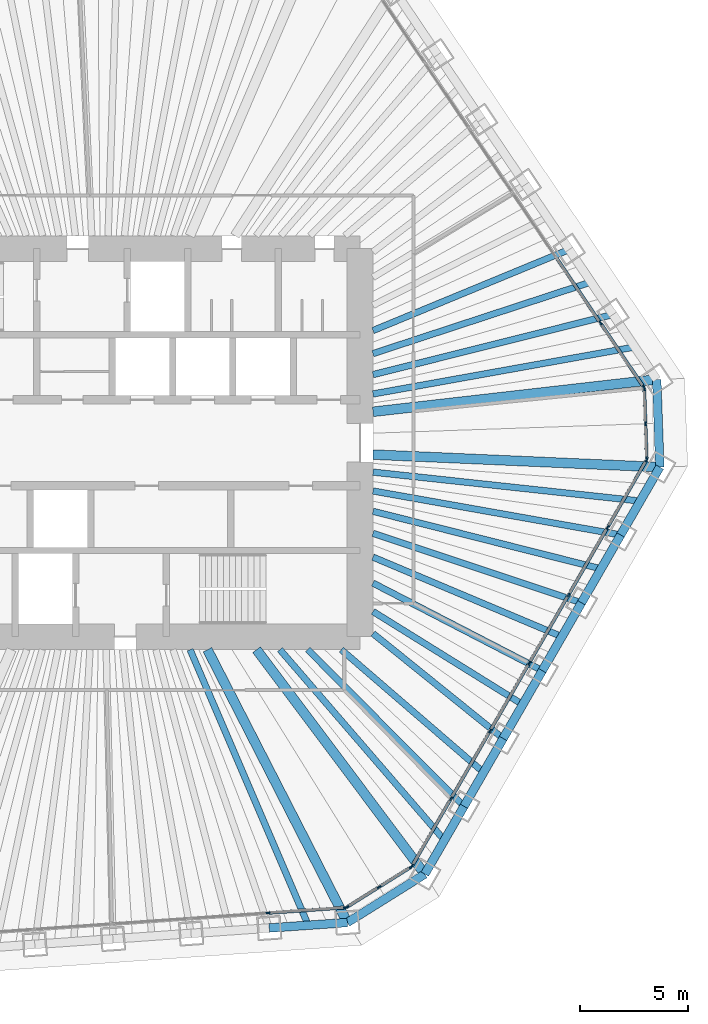
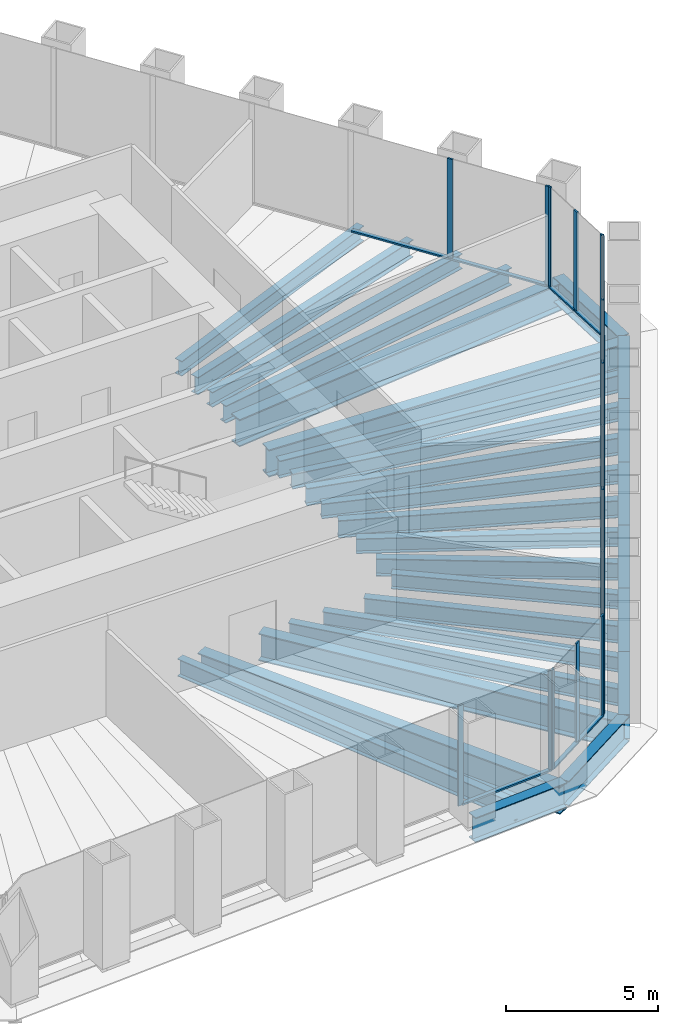
# One storey, part 4 of 13: 30 members, 29 beams, 5 elements without a shape of their own.
"""IFC4 building model written with IfcOpenShell, lengths in metres."""

from ifc_helpers import new_model, si_unit, direction, frame, origin, origin_2d, place, context, subcontext, project, spatial, rectangle, i_section, extrude, material, material_profile, profile_set, type_object, element, aggregate, save


model = new_model("IFC4")

# Units and contexts
model_context = context("Model", 3, precision=1e-05, world=origin(), true_north=direction((0.0, 1.0)))
body_context = subcontext(model_context, "Body", "Model", "MODEL_VIEW")
ifc_project = project(units=[si_unit("LENGTHUNIT", "METRE"), si_unit("AREAUNIT", "SQUARE_METRE"), si_unit("VOLUMEUNIT", "CUBIC_METRE"), si_unit("PLANEANGLEUNIT", "RADIAN"), si_unit("MASSUNIT", "GRAM", prefix="KILO")], contexts=[model_context])

# Site, building, storey
site_placement = place(None, origin())
site = spatial("IfcSite", under=ifc_project, at=site_placement, CompositionType="ELEMENT")
building_placement = place(site_placement, origin())
building = spatial("IfcBuilding", under=site, at=building_placement, Name="Qingtian Harvest Tower", CompositionType="ELEMENT")
storey_placement = place(building_placement, frame((0.0, 0.0, 218.199951171875)))
storey = spatial("IfcBuildingStorey", under=building, at=storey_placement, Name="L47", CompositionType="ELEMENT", Elevation=218.199951171875)

# Beams
ifc_material_1 = material(Name="Steel SM570MC", Category="steel")
ifc_material_profile_1 = material_profile(ifc_material_1, i_section(OverallWidth=0.449951171875, OverallDepth=1.10009765625, WebThickness=0.02197265625, FlangeThickness=0.044921875, at=origin_2d()), Name="H1100x450x22x45")
ifc_profile_set_1 = profile_set([ifc_material_profile_1], Name="Steel SM570MC")
beam_type_1 = type_object("IfcBeamType", Name="Corner floor beam FB8 H1100x450x22x45", PredefinedType="BEAM", material=ifc_profile_set_1)
beam_1_placement = place(storey_placement, frame((25.762451171875, 2.936279296875, -0.719970703125), z_axis=(-0.993566901619, -0.113246686522, 0.0), x_axis=(0.113246686522, -0.993566901619, 0.0)))
element("IfcBeam", 1, at=beam_1_placement, inside=storey, type_object=beam_type_1, Name="Floor beam FB8 NE6", PredefinedType="BEAM", context=body_context, shape_type="SweptSolid", body=[
    extrude(i_section(OverallWidth=0.449951171875, OverallDepth=1.10009765625, WebThickness=0.02197265625, FlangeThickness=0.044921875, at=origin_2d()), origin(), (0.0, 0.0, 1.0), 13.24755859375),
])
beam_2_placement = place(storey_placement, frame((25.904541015625, -1.1318359375, -0.719970703125), z_axis=(-0.999046865424, 0.043650437408, 0.0), x_axis=(-0.043650437408, -0.999046865424, 0.0)))
element("IfcBeam", 2, at=beam_2_placement, inside=storey, type_object=beam_type_1, Name="Floor beam FB8 SE0", PredefinedType="BEAM", context=body_context, shape_type="SweptSolid", body=[
    extrude(i_section(OverallWidth=0.449951171875, OverallDepth=1.10009765625, WebThickness=0.02197265625, FlangeThickness=0.044921875, at=origin_2d()), origin(), (0.0, 0.0, 1.0), 13.317138671875),
])
beam_3_placement = place(storey_placement, frame((15.00390625, -20.012451171875, -0.719970703125), z_axis=(-0.599858913609, 0.800105795357, 0.0), x_axis=(-0.800105795357, -0.599858913609, 0.0)))
element("IfcBeam", 3, at=beam_3_placement, inside=storey, type_object=beam_type_1, Name="Floor beam FB8 SE6", PredefinedType="BEAM", context=body_context, shape_type="SweptSolid", body=[
    extrude(i_section(OverallWidth=0.449951171875, OverallDepth=1.10009765625, WebThickness=0.02197265625, FlangeThickness=0.044921875, at=origin_2d()), origin(), (0.0, 0.0, 1.0), 13.013671875),
])
beam_4_placement = place(storey_placement, frame((11.40966796875, -22.25830078125, -0.719970703125), z_axis=(-0.456157396608, 0.889899111989, 0.0), x_axis=(-0.889899111989, -0.456157396608, 0.0)))
element("IfcBeam", 4, at=beam_4_placement, inside=storey, type_object=beam_type_1, Name="Floor beam FB8 S0", PredefinedType="BEAM", context=body_context, shape_type="SweptSolid", body=[
    extrude(i_section(OverallWidth=0.449951171875, OverallDepth=1.10009765625, WebThickness=0.02197265625, FlangeThickness=0.044921875, at=origin_2d()), origin(), (0.0, 0.0, 1.0), 14.224365234375),
])
ifc_material_2 = material(Name="Steel SN490B", Category="steel")
ifc_material_profile_2 = material_profile(ifc_material_2, i_section(OverallWidth=0.300048828125, OverallDepth=0.60009765625, WebThickness=0.011962890625, FlangeThickness=0.02001953125, at=origin_2d()), Name="H600x300x12x20")
ifc_profile_set_2 = profile_set([ifc_material_profile_2], Name="Steel SN490B")
beam_type_2 = type_object("IfcBeamType", Name="Floor beam FB3 H600x300x12x20", PredefinedType="BEAM", material=ifc_profile_set_2)
beam_5_placement = place(storey_placement, frame((21.69873046875, 8.9609375, -0.469970703125), z_axis=(-0.924281590361, -0.381711332973, 0.0), x_axis=(0.381711332973, -0.924281590361, 0.0)))
element("IfcBeam", 5, at=beam_5_placement, inside=storey, type_object=beam_type_2, Name="Floor beam FB3 NE4", PredefinedType="BEAM", context=body_context, shape_type="SweptSolid", body=[
    extrude(i_section(OverallWidth=0.300048828125, OverallDepth=0.60009765625, WebThickness=0.011962890625, FlangeThickness=0.02001953125, at=origin_2d()), origin(), (0.0, 0.0, 1.0), 9.843994140625),
])
beam_6_placement = place(storey_placement, frame((23.730712890625, 5.948486328125, -0.469970703125), z_axis=(-0.969990876487, -0.243141315972, 0.0), x_axis=(0.243141315972, -0.969990876487, 0.0)))
element("IfcBeam", 6, at=beam_6_placement, inside=storey, type_object=beam_type_2, Name="Floor beam FB3 NE5", PredefinedType="BEAM", context=body_context, shape_type="SweptSolid", body=[
    extrude(i_section(OverallWidth=0.300048828125, OverallDepth=0.60009765625, WebThickness=0.011962890625, FlangeThickness=0.02001953125, at=origin_2d()), origin(), (0.0, 0.0, 1.0), 11.474853515625),
])
beam_7_placement = place(storey_placement, frame((24.087890625, -4.27880859375, -0.469970703125), z_axis=(-0.98458469654, 0.174908477034, 0.0), x_axis=(-0.174908477034, -0.98458469654, 0.0)))
element("IfcBeam", 7, at=beam_7_placement, inside=storey, type_object=beam_type_2, Name="Floor beam FB3 SE1", PredefinedType="BEAM", context=body_context, shape_type="SweptSolid", body=[
    extrude(i_section(OverallWidth=0.300048828125, OverallDepth=0.60009765625, WebThickness=0.011962890625, FlangeThickness=0.02001953125, at=origin_2d()), origin(), (0.0, 0.0, 1.0), 11.667724609375),
])
beam_8_placement = place(storey_placement, frame((22.27099609375, -7.425537109375, -0.469970703125), z_axis=(-0.948654555734, 0.316313979908, 0.0), x_axis=(-0.316313979908, -0.948654555734, 0.0)))
element("IfcBeam", 8, at=beam_8_placement, inside=storey, type_object=beam_type_2, Name="Floor beam FB3 SE2", PredefinedType="BEAM", context=body_context, shape_type="SweptSolid", body=[
    extrude(i_section(OverallWidth=0.300048828125, OverallDepth=0.60009765625, WebThickness=0.011962890625, FlangeThickness=0.02001953125, at=origin_2d()), origin(), (0.0, 0.0, 1.0), 10.1943359375),
])
beam_9_placement = place(storey_placement, frame((20.454345703125, -10.572265625, -0.469970703125), z_axis=(-0.888343501027, 0.459179511938, 0.0), x_axis=(-0.459179511938, -0.888343501027, 0.0)))
element("IfcBeam", 9, at=beam_9_placement, inside=storey, type_object=beam_type_2, Name="Floor beam FB3 SE3", PredefinedType="BEAM", context=body_context, shape_type="SweptSolid", body=[
    extrude(i_section(OverallWidth=0.300048828125, OverallDepth=0.60009765625, WebThickness=0.011962890625, FlangeThickness=0.02001953125, at=origin_2d()), origin(), (0.0, 0.0, 1.0), 8.841552734375),
])
beam_10_placement = place(storey_placement, frame((18.637451171875, -13.718994140625, -0.469970703125), z_axis=(-0.77840907003, 0.62775737327, 0.0), x_axis=(-0.62775737327, -0.77840907003, 0.0)))
element("IfcBeam", 10, at=beam_10_placement, inside=storey, type_object=beam_type_2, Name="Floor beam FB3 SE4", PredefinedType="BEAM", context=body_context, shape_type="SweptSolid", body=[
    extrude(i_section(OverallWidth=0.300048828125, OverallDepth=0.60009765625, WebThickness=0.011962890625, FlangeThickness=0.02001953125, at=origin_2d()), origin(), (0.0, 0.0, 1.0), 7.756103515625),
])
beam_11_placement = place(storey_placement, frame((16.82080078125, -16.86572265625, -0.469970703125), z_axis=(-0.70616637797, 0.708045935392, 0.0), x_axis=(-0.708045935392, -0.70616637797, 0.0)))
element("IfcBeam", 11, at=beam_11_placement, inside=storey, type_object=beam_type_2, Name="Floor beam FB3 SE5", PredefinedType="BEAM", context=body_context, shape_type="SweptSolid", body=[
    extrude(i_section(OverallWidth=0.300048828125, OverallDepth=0.60009765625, WebThickness=0.011962890625, FlangeThickness=0.02001953125, at=origin_2d()), origin(), (0.0, 0.0, 1.0), 10.261474609375),
])
ifc_material_3 = material(Name="Steel SN490B", Category="steel")
ifc_material_profile_3 = material_profile(ifc_material_3, i_section(OverallWidth=0.300048828125, OverallDepth=0.699951171875, WebThickness=0.012939453125, FlangeThickness=0.02392578125, at=origin_2d()), Name="H700x300x13x24")
ifc_profile_set_3 = profile_set([ifc_material_profile_3], Name="Steel SN490B")
beam_type_3 = type_object("IfcBeamType", Name="Floor joist J2 H700x300x13x24", PredefinedType="JOIST", material=ifc_profile_set_3)
beam_12_placement = place(storey_placement, frame((22.71484375, 7.454833984375, -0.52001953125), z_axis=(-0.950138567513, -0.311828001508, 0.0), x_axis=(0.311828001508, -0.950138567513, 0.0)))
element("IfcBeam", 12, at=beam_12_placement, inside=storey, type_object=beam_type_3, Name="Floor joist J2 NE4", PredefinedType="JOIST", context=body_context, shape_type="SweptSolid", body=[
    extrude(i_section(OverallWidth=0.300048828125, OverallDepth=0.699951171875, WebThickness=0.012939453125, FlangeThickness=0.02392578125, at=origin_2d()), origin(), (0.0, 0.0, 1.0), 10.6455078125),
])
beam_13_placement = place(storey_placement, frame((24.74658203125, 4.4423828125, -0.52001953125), z_axis=(-0.98426723745, -0.176686177393, 0.0), x_axis=(0.176686177393, -0.98426723745, 0.0)))
element("IfcBeam", 13, at=beam_13_placement, inside=storey, type_object=beam_type_3, Name="Floor joist J2 NE5", PredefinedType="JOIST", context=body_context, shape_type="SweptSolid", body=[
    extrude(i_section(OverallWidth=0.300048828125, OverallDepth=0.699951171875, WebThickness=0.012939453125, FlangeThickness=0.02392578125, at=origin_2d()), origin(), (0.0, 0.0, 1.0), 12.340576171875),
])
beam_14_placement = place(storey_placement, frame((24.99609375, -2.705322265625, -0.52001953125), z_axis=(-0.994194656298, 0.107596400448, 0.0), x_axis=(-0.107596400448, -0.994194656298, 0.0)))
element("IfcBeam", 14, at=beam_14_placement, inside=storey, type_object=beam_type_3, Name="Floor joist J2 SE0", PredefinedType="JOIST", context=body_context, shape_type="SweptSolid", body=[
    extrude(i_section(OverallWidth=0.300048828125, OverallDepth=0.699951171875, WebThickness=0.012939453125, FlangeThickness=0.02392578125, at=origin_2d()), origin(), (0.0, 0.0, 1.0), 12.46826171875),
])
beam_15_placement = place(storey_placement, frame((23.179443359375, -5.85205078125, -0.52001953125), z_axis=(-0.969577887027, 0.244783007963, 0.0), x_axis=(-0.244783007963, -0.969577887027, 0.0)))
element("IfcBeam", 15, at=beam_15_placement, inside=storey, type_object=beam_type_3, Name="Floor joist J2 SE1", PredefinedType="JOIST", context=body_context, shape_type="SweptSolid", body=[
    extrude(i_section(OverallWidth=0.300048828125, OverallDepth=0.699951171875, WebThickness=0.012939453125, FlangeThickness=0.02392578125, at=origin_2d()), origin(), (0.0, 0.0, 1.0), 10.911376953125),
])
beam_16_placement = place(storey_placement, frame((21.362548828125, -8.998779296875, -0.52001953125), z_axis=(-0.921571079516, 0.388209666803, 0.0), x_axis=(-0.388209666803, -0.921571079516, 0.0)))
element("IfcBeam", 16, at=beam_16_placement, inside=storey, type_object=beam_type_3, Name="Floor joist J2 SE2", PredefinedType="JOIST", context=body_context, shape_type="SweptSolid", body=[
    extrude(i_section(OverallWidth=0.300048828125, OverallDepth=0.699951171875, WebThickness=0.012939453125, FlangeThickness=0.02392578125, at=origin_2d()), origin(), (0.0, 0.0, 1.0), 9.508056640625),
])
beam_17_placement = place(storey_placement, frame((19.5458984375, -12.1455078125, -0.52001953125), z_axis=(-0.849380822906, 0.527780463526, 0.0), x_axis=(-0.527780463526, -0.849380822906, 0.0)))
element("IfcBeam", 17, at=beam_17_placement, inside=storey, type_object=beam_type_3, Name="Floor joist J2 SE3", PredefinedType="JOIST", context=body_context, shape_type="SweptSolid", body=[
    extrude(i_section(OverallWidth=0.300048828125, OverallDepth=0.699951171875, WebThickness=0.012939453125, FlangeThickness=0.02392578125, at=origin_2d()), origin(), (0.0, 0.0, 1.0), 8.177490234375),
])
beam_18_placement = place(storey_placement, frame((17.72900390625, -15.292236328125, -0.52001953125), z_axis=(-0.757237954988, 0.653139096613, 0.0), x_axis=(-0.653139096613, -0.757237954988, 0.0)))
element("IfcBeam", 18, at=beam_18_placement, inside=storey, type_object=beam_type_3, Name="Floor joist J2 SE4", PredefinedType="JOIST", context=body_context, shape_type="SweptSolid", body=[
    extrude(i_section(OverallWidth=0.300048828125, OverallDepth=0.699951171875, WebThickness=0.012939453125, FlangeThickness=0.02392578125, at=origin_2d()), origin(), (0.0, 0.0, 1.0), 8.715087890625),
])
beam_19_placement = place(storey_placement, frame((15.912353515625, -18.43896484375, -0.52001953125), z_axis=(-0.653343257086, 0.757061812813, 0.0), x_axis=(-0.757061812813, -0.653343257086, 0.0)))
element("IfcBeam", 19, at=beam_19_placement, inside=storey, type_object=beam_type_3, Name="Floor joist J2 SE5", PredefinedType="JOIST", context=body_context, shape_type="SweptSolid", body=[
    extrude(i_section(OverallWidth=0.300048828125, OverallDepth=0.699951171875, WebThickness=0.012939453125, FlangeThickness=0.02392578125, at=origin_2d()), origin(), (0.0, 0.0, 1.0), 11.67529296875),
])
beam_20_placement = place(storey_placement, frame((9.597412109375, -22.385009765625, -0.52001953125), z_axis=(-0.394052741766, 0.919087828614, 0.0), x_axis=(-0.919087828614, -0.394052741766, 0.0)))
element("IfcBeam", 20, at=beam_20_placement, inside=storey, type_object=beam_type_3, Name="Floor joist J2 S0", PredefinedType="JOIST", context=body_context, shape_type="SweptSolid", body=[
    extrude(i_section(OverallWidth=0.300048828125, OverallDepth=0.699951171875, WebThickness=0.012939453125, FlangeThickness=0.02392578125, at=origin_2d()), origin(), (0.0, 0.0, 1.0), 13.910400390625),
])

# Curtain wall, members
ifc_material_4 = material(Name="Bronze-anodised aluminium curtain wall", Category="aluminium")
curtain_wall_type = type_object("IfcCurtainWallType", Name="Curtain wall CW4 office", PredefinedType="USERDEFINED", material=ifc_material_4)
curtain_wall_1_placement = place(storey_placement, origin())
curtain_wall_1 = element("IfcCurtainWall", 21, at=curtain_wall_1_placement, inside=storey, type_object=curtain_wall_type, Name="Curtain wall CW4 L47 NE0-5", ObjectType="RECESSED CURTAIN WALL", PredefinedType="USERDEFINED")
ifc_material_5 = material(Name="Bronze-anodised aluminium mullion", Category="aluminium")
ifc_material_profile_4 = material_profile(ifc_material_5, rectangle(XDim=0.06494140625, YDim=0.199951171875, at=origin_2d()), Name="AL 65x200")
ifc_profile_set_4 = profile_set([ifc_material_profile_4], Name="Bronze-anodised aluminium mullion")
member_type_1 = type_object("IfcMemberType", Name="Mullion CWM 65x200", PredefinedType="MULLION", material=ifc_profile_set_4)
member_1_placement = place(storey_placement, frame((23.150390625, 5.55712890625, 0.0), z_axis=(0.0, 0.0, 1.0), x_axis=(0.829037572555, 0.559192903471, 0.0)))
member_1 = element("IfcMember", 22, at=member_1_placement, type_object=member_type_1, Name="CW4 mullion 6", PredefinedType="MULLION", context=body_context, shape_type="SweptSolid", body=[
    extrude(rectangle(XDim=0.06494140625, YDim=0.199951171875, at=origin_2d()), origin(), (0.0, 0.0, 1.0), 4.030029296875),
])
member_2_placement = place(storey_placement, frame((25.1640625, 2.57177734375, 0.0), z_axis=(0.0, 0.0, 1.0), x_axis=(0.829037572555, 0.559192903471, 0.0)))
member_2 = element("IfcMember", 23, at=member_2_placement, type_object=member_type_1, Name="CW4 mullion 7", PredefinedType="MULLION", context=body_context, shape_type="SweptSolid", body=[
    extrude(rectangle(XDim=0.06494140625, YDim=0.199951171875, at=origin_2d()), origin(), (0.0, 0.0, 1.0), 4.030029296875),
])

curtain_wall_2_placement = place(storey_placement, origin())
curtain_wall_2 = element("IfcCurtainWall", 24, at=curtain_wall_2_placement, inside=storey, type_object=curtain_wall_type, Name="Curtain wall CW4 L47 NEC", ObjectType="RECESSED CURTAIN WALL", PredefinedType="USERDEFINED")
member_3_placement = place(storey_placement, frame((25.183349609375, 2.51220703125, 0.0), z_axis=(0.0, 0.0, 1.0), x_axis=(0.999390827019, 0.034899496703, 0.0)))
member_3 = element("IfcMember", 25, at=member_3_placement, type_object=member_type_1, Name="CW4 mullion 1", PredefinedType="MULLION", context=body_context, shape_type="SweptSolid", body=[
    extrude(rectangle(XDim=0.06494140625, YDim=0.199951171875, at=origin_2d()), origin(), (0.0, 0.0, 1.0), 4.030029296875),
])
member_4_placement = place(storey_placement, frame((25.240234375, 0.88134765625, 0.0), z_axis=(0.0, 0.0, 1.0), x_axis=(0.999390827019, 0.034899496703, 0.0)))
member_4 = element("IfcMember", 26, at=member_4_placement, type_object=member_type_1, Name="CW4 mullion 2", PredefinedType="MULLION", context=body_context, shape_type="SweptSolid", body=[
    extrude(rectangle(XDim=0.06494140625, YDim=0.199951171875, at=origin_2d()), origin(), (0.0, 0.0, 1.0), 4.030029296875),
])
member_5_placement = place(storey_placement, frame((25.297119140625, -0.74951171875, 0.0), z_axis=(0.0, 0.0, 1.0), x_axis=(0.999390827019, 0.034899496703, 0.0)))
member_5 = element("IfcMember", 27, at=member_5_placement, type_object=member_type_1, Name="CW4 mullion 3", PredefinedType="MULLION", context=body_context, shape_type="SweptSolid", body=[
    extrude(rectangle(XDim=0.06494140625, YDim=0.199951171875, at=origin_2d()), origin(), (0.0, 0.0, 1.0), 4.030029296875),
])

curtain_wall_3_placement = place(storey_placement, origin())
curtain_wall_3 = element("IfcCurtainWall", 28, at=curtain_wall_3_placement, inside=storey, type_object=curtain_wall_type, Name="Curtain wall CW4 L47 SE0-5", ObjectType="RECESSED CURTAIN WALL", PredefinedType="USERDEFINED")
member_6_placement = place(storey_placement, frame((25.2822265625, -0.81005859375, 0.0), z_axis=(0.0, 0.0, 1.0), x_axis=(0.866025403784, -0.5, 0.0)))
member_6 = element("IfcMember", 29, at=member_6_placement, type_object=member_type_1, Name="CW4 mullion 1", PredefinedType="MULLION", context=body_context, shape_type="SweptSolid", body=[
    extrude(rectangle(XDim=0.06494140625, YDim=0.199951171875, at=origin_2d()), origin(), (0.0, 0.0, 1.0), 4.030029296875),
])
member_7_placement = place(storey_placement, frame((23.481689453125, -3.9287109375, 0.0), z_axis=(0.0, 0.0, 1.0), x_axis=(0.866025403784, -0.5, 0.0)))
member_7 = element("IfcMember", 30, at=member_7_placement, type_object=member_type_1, Name="CW4 mullion 2", PredefinedType="MULLION", context=body_context, shape_type="SweptSolid", body=[
    extrude(rectangle(XDim=0.06494140625, YDim=0.199951171875, at=origin_2d()), origin(), (0.0, 0.0, 1.0), 4.030029296875),
])
member_8_placement = place(storey_placement, frame((21.664794921875, -7.075439453125, 0.0), z_axis=(0.0, 0.0, 1.0), x_axis=(0.866025403784, -0.5, 0.0)))
member_8 = element("IfcMember", 31, at=member_8_placement, type_object=member_type_1, Name="CW4 mullion 3", PredefinedType="MULLION", context=body_context, shape_type="SweptSolid", body=[
    extrude(rectangle(XDim=0.06494140625, YDim=0.199951171875, at=origin_2d()), origin(), (0.0, 0.0, 1.0), 4.030029296875),
])
member_9_placement = place(storey_placement, frame((19.84814453125, -10.22216796875, 0.0), z_axis=(0.0, 0.0, 1.0), x_axis=(0.866025403784, -0.5, 0.0)))
member_9 = element("IfcMember", 32, at=member_9_placement, type_object=member_type_1, Name="CW4 mullion 4", PredefinedType="MULLION", context=body_context, shape_type="SweptSolid", body=[
    extrude(rectangle(XDim=0.06494140625, YDim=0.199951171875, at=origin_2d()), origin(), (0.0, 0.0, 1.0), 4.030029296875),
])
member_10_placement = place(storey_placement, frame((18.03125, -13.368896484375, 0.0), z_axis=(0.0, 0.0, 1.0), x_axis=(0.866025403784, -0.5, 0.0)))
member_10 = element("IfcMember", 33, at=member_10_placement, type_object=member_type_1, Name="CW4 mullion 5", PredefinedType="MULLION", context=body_context, shape_type="SweptSolid", body=[
    extrude(rectangle(XDim=0.06494140625, YDim=0.199951171875, at=origin_2d()), origin(), (0.0, 0.0, 1.0), 4.030029296875),
])
member_11_placement = place(storey_placement, frame((16.214599609375, -16.515625, 0.0), z_axis=(0.0, 0.0, 1.0), x_axis=(0.866025403784, -0.5, 0.0)))
member_11 = element("IfcMember", 34, at=member_11_placement, type_object=member_type_1, Name="CW4 mullion 6", PredefinedType="MULLION", context=body_context, shape_type="SweptSolid", body=[
    extrude(rectangle(XDim=0.06494140625, YDim=0.199951171875, at=origin_2d()), origin(), (0.0, 0.0, 1.0), 4.030029296875),
])
member_12_placement = place(storey_placement, frame((14.4140625, -19.63427734375, 0.0), z_axis=(0.0, 0.0, 1.0), x_axis=(0.866025403784, -0.5, 0.0)))
member_12 = element("IfcMember", 35, at=member_12_placement, type_object=member_type_1, Name="CW4 mullion 7", PredefinedType="MULLION", context=body_context, shape_type="SweptSolid", body=[
    extrude(rectangle(XDim=0.06494140625, YDim=0.199951171875, at=origin_2d()), origin(), (0.0, 0.0, 1.0), 4.030029296875),
])

curtain_wall_4_placement = place(storey_placement, origin())
curtain_wall_4 = element("IfcCurtainWall", 36, at=curtain_wall_4_placement, inside=storey, type_object=curtain_wall_type, Name="Curtain wall CW4 L47 SEC", ObjectType="RECESSED CURTAIN WALL", PredefinedType="USERDEFINED")
member_13_placement = place(storey_placement, frame((14.3701171875, -19.6796875, 0.0), z_axis=(0.0, 0.0, 1.0), x_axis=(0.529919264233, -0.848048096156, 0.0)))
member_13 = element("IfcMember", 37, at=member_13_placement, type_object=member_type_1, Name="CW4 mullion 1", PredefinedType="MULLION", context=body_context, shape_type="SweptSolid", body=[
    extrude(rectangle(XDim=0.06494140625, YDim=0.199951171875, at=origin_2d()), origin(), (0.0, 0.0, 1.0), 4.030029296875),
])
member_14_placement = place(storey_placement, frame((12.87939453125, -20.611328125, 0.0), z_axis=(0.0, 0.0, 1.0), x_axis=(0.529919264233, -0.848048096156, 0.0)))
member_14 = element("IfcMember", 38, at=member_14_placement, type_object=member_type_1, Name="CW4 mullion 2", PredefinedType="MULLION", context=body_context, shape_type="SweptSolid", body=[
    extrude(rectangle(XDim=0.06494140625, YDim=0.199951171875, at=origin_2d()), origin(), (0.0, 0.0, 1.0), 4.030029296875),
])
member_15_placement = place(storey_placement, frame((11.388427734375, -21.542724609375, 0.0), z_axis=(0.0, 0.0, 1.0), x_axis=(0.529919264233, -0.848048096156, 0.0)))
member_15 = element("IfcMember", 39, at=member_15_placement, type_object=member_type_1, Name="CW4 mullion 3", PredefinedType="MULLION", context=body_context, shape_type="SweptSolid", body=[
    extrude(rectangle(XDim=0.06494140625, YDim=0.199951171875, at=origin_2d()), origin(), (0.0, 0.0, 1.0), 4.030029296875),
])

curtain_wall_5_placement = place(storey_placement, origin())
curtain_wall_5 = element("IfcCurtainWall", 40, at=curtain_wall_5_placement, inside=storey, type_object=curtain_wall_type, Name="Curtain wall CW4 L47 S0-5", ObjectType="RECESSED CURTAIN WALL", PredefinedType="USERDEFINED")
member_16_placement = place(storey_placement, frame((11.32861328125, -21.562255859375, 0.0), z_axis=(0.0, 0.0, 1.0), x_axis=(0.069756473744, -0.99756405026, 0.0)))
member_16 = element("IfcMember", 41, at=member_16_placement, type_object=member_type_1, Name="CW4 mullion 1", PredefinedType="MULLION", context=body_context, shape_type="SweptSolid", body=[
    extrude(rectangle(XDim=0.06494140625, YDim=0.199951171875, at=origin_2d()), origin(), (0.0, 0.0, 1.0), 4.030029296875),
])
member_17_placement = place(storey_placement, frame((7.736328125, -21.8134765625, 0.0), z_axis=(0.0, 0.0, 1.0), x_axis=(0.069756473744, -0.99756405026, 0.0)))
member_17 = element("IfcMember", 42, at=member_17_placement, type_object=member_type_1, Name="CW4 mullion 2", PredefinedType="MULLION", context=body_context, shape_type="SweptSolid", body=[
    extrude(rectangle(XDim=0.06494140625, YDim=0.199951171875, at=origin_2d()), origin(), (0.0, 0.0, 1.0), 4.030029296875),
])

# Beams
ifc_material_6 = material(Name="Steel SN490B", Category="steel")
ifc_material_profile_5 = material_profile(ifc_material_6, i_section(OverallWidth=0.39990234375, OverallDepth=1.0, WebThickness=0.01904296875, FlangeThickness=0.035888671875, at=origin_2d()), Name="H1000x400x19x36")
ifc_profile_set_5 = profile_set([ifc_material_profile_5], Name="Steel SN490B")
beam_type_4 = type_object("IfcBeamType", Name="Spandrel beam SB3 H1000x400x19x36", PredefinedType="SPANDREL", material=ifc_profile_set_5)
beam_21_placement = place(storey_placement, frame((25.762451171875, 2.936279296875, -0.5), z_axis=(0.03490639867, -0.999390585973, 0.0), x_axis=(0.999390585973, 0.03490639867, 0.0)))
element("IfcBeam", 43, at=beam_21_placement, inside=storey, type_object=beam_type_4, Name="Spandrel SB3 NEC", PredefinedType="SPANDREL", context=body_context, shape_type="SweptSolid", body=[
    extrude(i_section(OverallWidth=0.39990234375, OverallDepth=1.0, WebThickness=0.01904296875, FlangeThickness=0.035888671875, at=origin_2d()), origin(), (0.0, 0.0, 1.0), 4.070556640625),
])
beam_22_placement = place(storey_placement, frame((25.904541015625, -1.1318359375, -0.5), z_axis=(-0.499947341849, -0.866055803848, 0.0), x_axis=(0.866055803848, -0.499947341849, 0.0)))
element("IfcBeam", 44, at=beam_22_placement, inside=storey, type_object=beam_type_4, Name="Spandrel SB3 SE0", PredefinedType="SPANDREL", context=body_context, shape_type="SweptSolid", body=[
    extrude(i_section(OverallWidth=0.39990234375, OverallDepth=1.0, WebThickness=0.01904296875, FlangeThickness=0.035888671875, at=origin_2d()), origin(), (0.0, 0.0, 1.0), 3.6337890625),
])
for number, where, z_axis, x_axis, name in (
    (45, (24.087890625, -4.27880859375, -0.5), (-0.500026827678, -0.866009914263, 0.0), (0.866009914263, -0.500026827678, 0.0), "Spandrel SB3 SE1"),
    (46, (22.27099609375, -7.425537109375, -0.5), (-0.499976434558, -0.866039008871, 0.0), (0.866039008871, -0.499976434558, 0.0), "Spandrel SB3 SE2"),
    (47, (20.454345703125, -10.572265625, -0.5), (-0.500026827678, -0.866009914263, 0.0), (0.866009914263, -0.500026827678, 0.0), "Spandrel SB3 SE3"),
    (48, (18.637451171875, -13.718994140625, -0.5), (-0.499976434558, -0.866039008871, 0.0), (0.866039008871, -0.499976434558, 0.0), "Spandrel SB3 SE4"),
    (49, (16.82080078125, -16.86572265625, -0.5), (-0.500026827678, -0.866009914263, 0.0), (0.866009914263, -0.500026827678, 0.0), "Spandrel SB3 SE5"),
):
    element("IfcBeam", number, at=place(storey_placement, frame(where, z_axis=z_axis, x_axis=x_axis)), inside=storey, type_object=beam_type_4, Name=name, PredefinedType="SPANDREL", context=body_context, shape_type="SweptSolid", body=[
        extrude(i_section(OverallWidth=0.39990234375, OverallDepth=1.0, WebThickness=0.01904296875, FlangeThickness=0.035888671875, at=origin_2d()), origin(), (0.0, 0.0, 1.0), 3.633544921875),
    ])
beam_23_placement = place(storey_placement, frame((15.00390625, -20.012451171875, -0.5), z_axis=(-0.848056550838, -0.529905733675, 0.0), x_axis=(0.529905733675, -0.848056550838, 0.0)))
element("IfcBeam", 50, at=beam_23_placement, inside=storey, type_object=beam_type_4, Name="Spandrel SB3 SEC", PredefinedType="SPANDREL", context=body_context, shape_type="SweptSolid", body=[
    extrude(i_section(OverallWidth=0.39990234375, OverallDepth=1.0, WebThickness=0.01904296875, FlangeThickness=0.035888671875, at=origin_2d()), origin(), (0.0, 0.0, 1.0), 4.23828125),
])
beam_24_placement = place(storey_placement, frame((11.40966796875, -22.25830078125, -0.5), z_axis=(-0.997564674207, -0.069747550305, 0.0), x_axis=(0.069747550305, -0.997564674207, 0.0)))
element("IfcBeam", 51, at=beam_24_placement, inside=storey, type_object=beam_type_4, Name="Spandrel SB3 S0", PredefinedType="SPANDREL", context=body_context, shape_type="SweptSolid", body=[
    extrude(i_section(OverallWidth=0.39990234375, OverallDepth=1.0, WebThickness=0.01904296875, FlangeThickness=0.035888671875, at=origin_2d()), origin(), (0.0, 0.0, 1.0), 3.63330078125),
])

# Member
ifc_material_7 = material(Name="Bronze-anodised aluminium transom", Category="aluminium")
ifc_material_profile_6 = material_profile(ifc_material_7, rectangle(XDim=0.14990234375, YDim=0.06494140625, at=origin_2d()), Name="AL 65x150")
ifc_profile_set_6 = profile_set([ifc_material_profile_6], Name="Bronze-anodised aluminium transom")
member_type_2 = type_object("IfcMemberType", Name="Transom CWT 65x150", PredefinedType="USERDEFINED", material=ifc_profile_set_6)
member_18_placement = place(storey_placement, frame((21.13671875, 8.54248046875, 0.032470703125), z_axis=(0.559160259871, -0.829059590006, 0.0), x_axis=(0.829059590006, 0.559160259871, 0.0)))
member_18 = element("IfcMember", 52, at=member_18_placement, type_object=member_type_2, Name="CW4 transom 5.1", ObjectType="TRANSOM", PredefinedType="USERDEFINED", context=body_context, shape_type="SweptSolid", body=[
    extrude(rectangle(XDim=0.14990234375, YDim=0.06494140625, at=origin_2d()), origin(), (0.0, 0.0, 1.0), 3.568603515625),
])

member_19_placement = place(storey_placement, frame((23.16845703125, 5.5302734375, 0.032470703125), z_axis=(0.559169259008, -0.829053520456, 0.0), x_axis=(0.829053520456, 0.559169259008, 0.0)))
member_19 = element("IfcMember", 53, at=member_19_placement, type_object=member_type_2, Name="CW4 transom 6.1", ObjectType="TRANSOM", PredefinedType="USERDEFINED", context=body_context, shape_type="SweptSolid", body=[
    extrude(rectangle(XDim=0.14990234375, YDim=0.06494140625, at=origin_2d()), origin(), (0.0, 0.0, 1.0), 3.5361328125),
])

aggregate(curtain_wall_1, [member_1, member_2, member_18, member_19])

member_20_placement = place(storey_placement, frame((25.1845703125, 2.479736328125, 0.032470703125), z_axis=(0.034902326647, -0.999390728191, 0.0), x_axis=(0.999390728191, 0.034902326647, 0.0)))
member_20 = element("IfcMember", 54, at=member_20_placement, type_object=member_type_2, Name="CW4 transom 1.1", ObjectType="TRANSOM", PredefinedType="USERDEFINED", context=body_context, shape_type="SweptSolid", body=[
    extrude(rectangle(XDim=0.14990234375, YDim=0.06494140625, at=origin_2d()), origin(), (0.0, 0.0, 1.0), 1.56689453125),
])

member_21_placement = place(storey_placement, frame((25.241455078125, 0.848876953125, 0.032470703125), z_axis=(0.034902326647, -0.999390728191, 0.0), x_axis=(0.999390728191, 0.034902326647, 0.0)))
member_21 = element("IfcMember", 55, at=member_21_placement, type_object=member_type_2, Name="CW4 transom 2.1", ObjectType="TRANSOM", PredefinedType="USERDEFINED", context=body_context, shape_type="SweptSolid", body=[
    extrude(rectangle(XDim=0.14990234375, YDim=0.06494140625, at=origin_2d()), origin(), (0.0, 0.0, 1.0), 1.56689453125),
])

aggregate(curtain_wall_2, [member_3, member_4, member_5, member_20, member_21])

member_22_placement = place(storey_placement, frame((25.265869140625, -0.838134765625, 0.032470703125), z_axis=(-0.499985409597, -0.866033827394, 0.0), x_axis=(0.866033827394, -0.499985409597, 0.0)))
member_22 = element("IfcMember", 56, at=member_22_placement, type_object=member_type_2, Name="CW4 transom 1.1", ObjectType="TRANSOM", PredefinedType="USERDEFINED", context=body_context, shape_type="SweptSolid", body=[
    extrude(rectangle(XDim=0.14990234375, YDim=0.06494140625, at=origin_2d()), origin(), (0.0, 0.0, 1.0), 3.5361328125),
])

member_23_placement = place(storey_placement, frame((23.46533203125, -3.956787109375, 0.032470703125), z_axis=(-0.499965259726, -0.866045460162, 0.0), x_axis=(0.866045460162, -0.499965259726, 0.0)))
member_23 = element("IfcMember", 57, at=member_23_placement, type_object=member_type_2, Name="CW4 transom 2.1", ObjectType="TRANSOM", PredefinedType="USERDEFINED", context=body_context, shape_type="SweptSolid", body=[
    extrude(rectangle(XDim=0.14990234375, YDim=0.06494140625, at=origin_2d()), origin(), (0.0, 0.0, 1.0), 3.568603515625),
])

member_24_placement = place(storey_placement, frame((21.648681640625, -7.103515625, 0.032470703125), z_axis=(-0.500016569533, -0.866015837149, 0.0), x_axis=(0.866015837149, -0.500016569533, 0.0)))
member_24 = element("IfcMember", 58, at=member_24_placement, type_object=member_type_2, Name="CW4 transom 3.1", ObjectType="TRANSOM", PredefinedType="USERDEFINED", context=body_context, shape_type="SweptSolid", body=[
    extrude(rectangle(XDim=0.14990234375, YDim=0.06494140625, at=origin_2d()), origin(), (0.0, 0.0, 1.0), 3.56884765625),
])

member_25_placement = place(storey_placement, frame((19.831787109375, -10.250244140625, 0.032470703125), z_axis=(-0.499965259726, -0.866045460162, 0.0), x_axis=(0.866045460162, -0.499965259726, 0.0)))
member_25 = element("IfcMember", 59, at=member_25_placement, type_object=member_type_2, Name="CW4 transom 4.1", ObjectType="TRANSOM", PredefinedType="USERDEFINED", context=body_context, shape_type="SweptSolid", body=[
    extrude(rectangle(XDim=0.14990234375, YDim=0.06494140625, at=origin_2d()), origin(), (0.0, 0.0, 1.0), 3.568603515625),
])

member_26_placement = place(storey_placement, frame((18.014892578125, -13.39697265625, 0.032470703125), z_axis=(-0.499965259726, -0.866045460162, 0.0), x_axis=(0.866045460162, -0.499965259726, 0.0)))
member_26 = element("IfcMember", 60, at=member_26_placement, type_object=member_type_2, Name="CW4 transom 5.1", ObjectType="TRANSOM", PredefinedType="USERDEFINED", context=body_context, shape_type="SweptSolid", body=[
    extrude(rectangle(XDim=0.14990234375, YDim=0.06494140625, at=origin_2d()), origin(), (0.0, 0.0, 1.0), 3.568603515625),
])

member_27_placement = place(storey_placement, frame((16.1982421875, -16.5439453125, 0.032470703125), z_axis=(-0.500015305566, -0.866016566931, 0.0), x_axis=(0.866016566931, -0.500015305566, 0.0)))
member_27 = element("IfcMember", 61, at=member_27_placement, type_object=member_type_2, Name="CW4 transom 6.1", ObjectType="TRANSOM", PredefinedType="USERDEFINED", context=body_context, shape_type="SweptSolid", body=[
    extrude(rectangle(XDim=0.14990234375, YDim=0.06494140625, at=origin_2d()), origin(), (0.0, 0.0, 1.0), 3.5361328125),
])

aggregate(curtain_wall_3, [member_6, member_7, member_8, member_9, member_10, member_11, member_12, member_22, member_23, member_24, member_25, member_26, member_27])

member_28_placement = place(storey_placement, frame((14.342529296875, -19.69677734375, 0.032470703125), z_axis=(-0.847998304005, -0.529998940003, 0.0), x_axis=(0.529998940003, -0.847998304005, 0.0)))
member_28 = element("IfcMember", 62, at=member_28_placement, type_object=member_type_2, Name="CW4 transom 1.1", ObjectType="TRANSOM", PredefinedType="USERDEFINED", context=body_context, shape_type="SweptSolid", body=[
    extrude(rectangle(XDim=0.14990234375, YDim=0.06494140625, at=origin_2d()), origin(), (0.0, 0.0, 1.0), 1.69287109375),
])

member_29_placement = place(storey_placement, frame((12.851806640625, -20.62841796875, 0.032470703125), z_axis=(-0.84803880708, -0.529934129573, 0.0), x_axis=(0.529934129573, -0.84803880708, 0.0)))
member_29 = element("IfcMember", 63, at=member_29_placement, type_object=member_type_2, Name="CW4 transom 2.1", ObjectType="TRANSOM", PredefinedType="USERDEFINED", context=body_context, shape_type="SweptSolid", body=[
    extrude(rectangle(XDim=0.14990234375, YDim=0.06494140625, at=origin_2d()), origin(), (0.0, 0.0, 1.0), 1.693115234375),
])

aggregate(curtain_wall_4, [member_13, member_14, member_15, member_28, member_29])

member_30_placement = place(storey_placement, frame((11.296142578125, -21.564453125, 0.032470703125), z_axis=(-0.997561034679, -0.069799585166, 0.0), x_axis=(0.069799585166, -0.997561034679, 0.0)))
member_30 = element("IfcMember", 64, at=member_30_placement, type_object=member_type_2, Name="CW4 transom 1.1", ObjectType="TRANSOM", PredefinedType="USERDEFINED", context=body_context, shape_type="SweptSolid", body=[
    extrude(rectangle(XDim=0.14990234375, YDim=0.06494140625, at=origin_2d()), origin(), (0.0, 0.0, 1.0), 3.5361328125),
])

aggregate(curtain_wall_5, [member_16, member_17, member_30])

save(model, "model.ifc")
